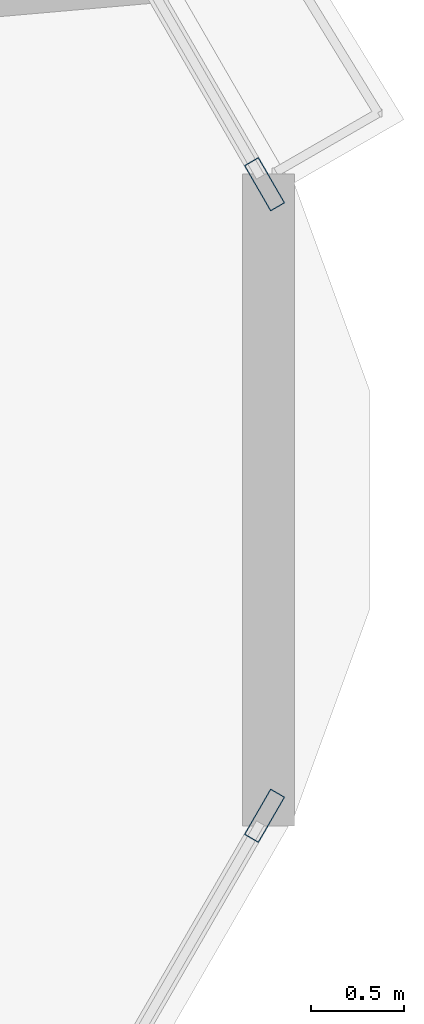
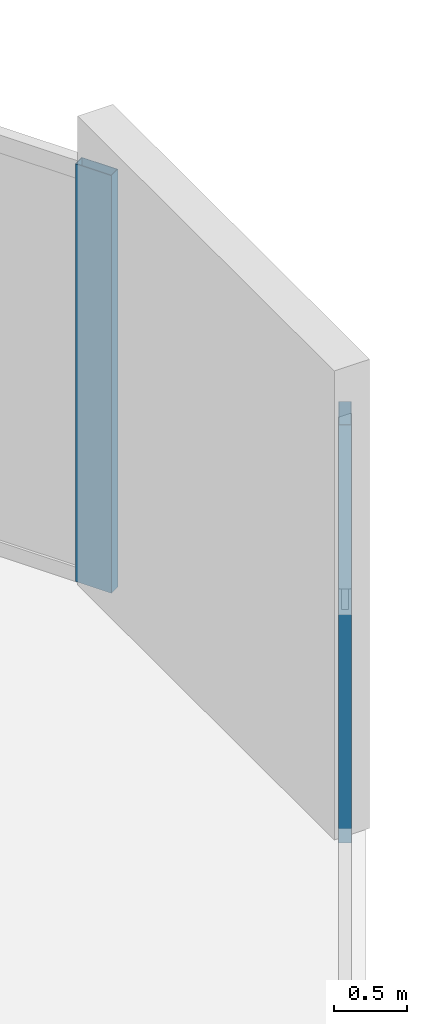
# One storey, part 20 of 27: 2 members, 2 elements without a shape of their own.
"""IFC4 building model written with IfcOpenShell, lengths in metres."""

from ifc_helpers import new_model, si_unit, direction, frame, origin, origin_2d, place, context, subcontext, project, spatial, hollow_rectangle, extrude, material, material_profile, profile_set, type_object, element, aggregate, save


model = new_model("IFC4")

# Units and contexts
model_context = context("Model", 3, precision=1e-05, world=origin(), true_north=direction((0.0, 1.0)))
body_context = subcontext(model_context, "Body", "Model", "MODEL_VIEW")
ifc_project = project(units=[si_unit("LENGTHUNIT", "METRE"), si_unit("AREAUNIT", "SQUARE_METRE"), si_unit("VOLUMEUNIT", "CUBIC_METRE"), si_unit("PLANEANGLEUNIT", "RADIAN"), si_unit("MASSUNIT", "GRAM", prefix="KILO")], contexts=[model_context])

# Site, building, storey
site_placement = place(None, origin())
site = spatial("IfcSite", under=ifc_project, at=site_placement, CompositionType="ELEMENT")
building_placement = place(site_placement, origin())
building = spatial("IfcBuilding", under=site, at=building_placement, Name="Zuhravey Tower", CompositionType="ELEMENT")
storey_placement = place(building_placement, frame((0.0, 0.0, 12.0)))
storey = spatial("IfcBuildingStorey", under=building, at=storey_placement, Name="L03", CompositionType="ELEMENT", Elevation=12.0)

# Curtain wall, member
ifc_material_1 = material(Name="Thermally broken anodised aluminium", Category="aluminium")
curtain_wall_type = type_object("IfcCurtainWallType", Name="School Low-E Unitised Curtain Wall CW1", PredefinedType="NOTDEFINED", material=ifc_material_1)
curtain_wall_1_placement = place(storey_placement, origin())
curtain_wall_1 = element("IfcCurtainWall", 1, at=curtain_wall_1_placement, inside=storey, type_object=curtain_wall_type, Name="L03 CW1 CW-L03-F6-1", PredefinedType="NOTDEFINED")
ifc_material_2 = material(Name="Anodised aluminium", Category="aluminium")
ifc_material_profile = material_profile(ifc_material_2, hollow_rectangle(XDim=0.090087890625, YDim=0.284912109375, WallThickness=0.0048828125, at=origin_2d()), Name="ALU-RHS-90x285x5")
ifc_profile_set = profile_set([ifc_material_profile], Name="Anodised aluminium")
member_type = type_object("IfcMemberType", Name="Curtain-Wall Mullion 90x180", PredefinedType="MULLION", material=ifc_profile_set)
member_1_placement = place(storey_placement, frame((68.4560546875, 30.298583984375, 0.0), z_axis=(0.0, 0.0, 1.0), x_axis=(0.86602552265, -0.499999794119, 0.0)))
member_1 = element("IfcMember", 2, at=member_1_placement, type_object=member_type, Name="CW1 mullion 1", PredefinedType="MULLION", context=body_context, shape_type="SweptSolid", body=[
    extrude(hollow_rectangle(XDim=0.090087890625, YDim=0.284912109375, WallThickness=0.0048828125, at=origin_2d()), origin(), (0.0, 0.0, 1.0), 3.491943359375),
])
aggregate(curtain_wall_1, [member_1])

curtain_wall_2_placement = place(storey_placement, origin())
curtain_wall_2 = element("IfcCurtainWall", 3, at=curtain_wall_2_placement, inside=storey, type_object=curtain_wall_type, Name="L03 CW1 CW-L03-F1-3", PredefinedType="NOTDEFINED")
member_2_placement = place(storey_placement, frame((68.4560546875, 33.701416015625, 0.0), z_axis=(0.0, 0.0, 1.0), x_axis=(0.866026545681, 0.499998022171, 0.0)))
member_2 = element("IfcMember", 4, at=member_2_placement, type_object=member_type, Name="CW1 mullion 2", PredefinedType="MULLION", context=body_context, shape_type="SweptSolid", body=[
    extrude(hollow_rectangle(XDim=0.090087890625, YDim=0.284912109375, WallThickness=0.0048828125, at=origin_2d()), origin(), (0.0, 0.0, 1.0), 3.491943359375),
])
aggregate(curtain_wall_2, [member_2])

save(model, "model.ifc")
